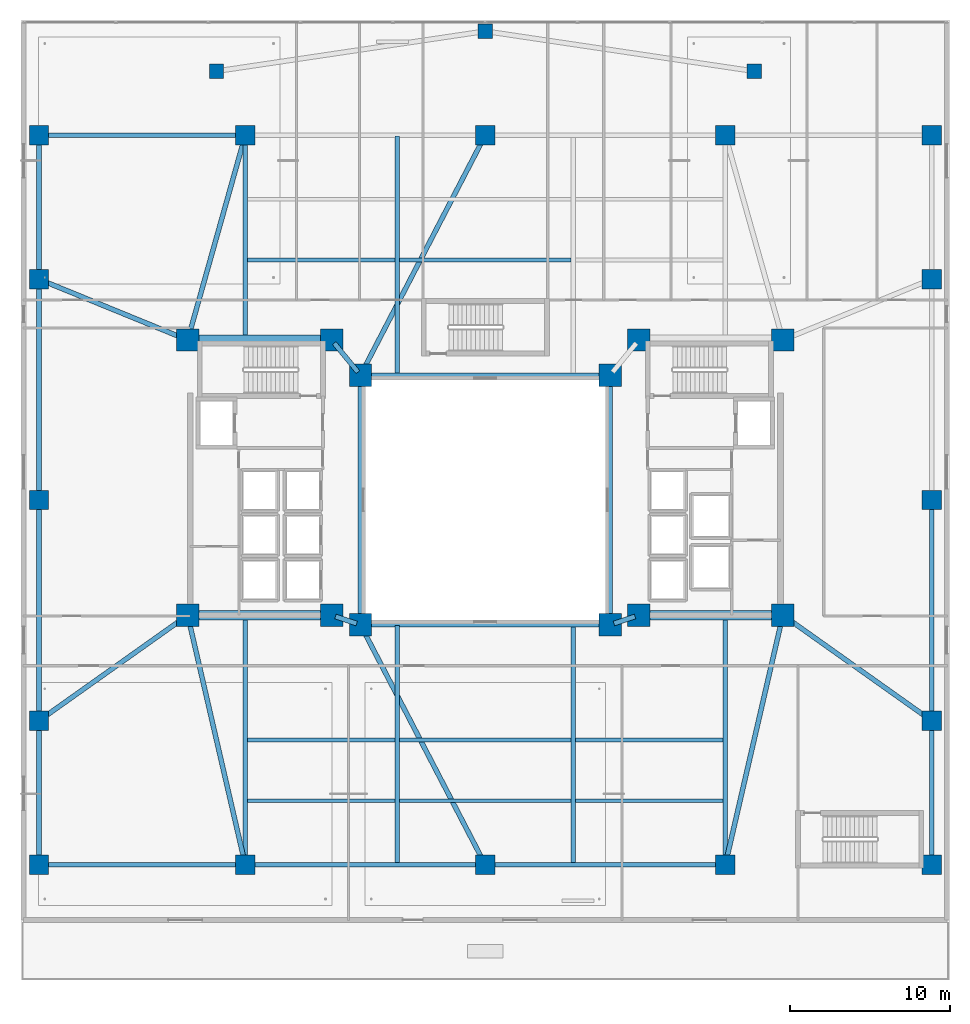
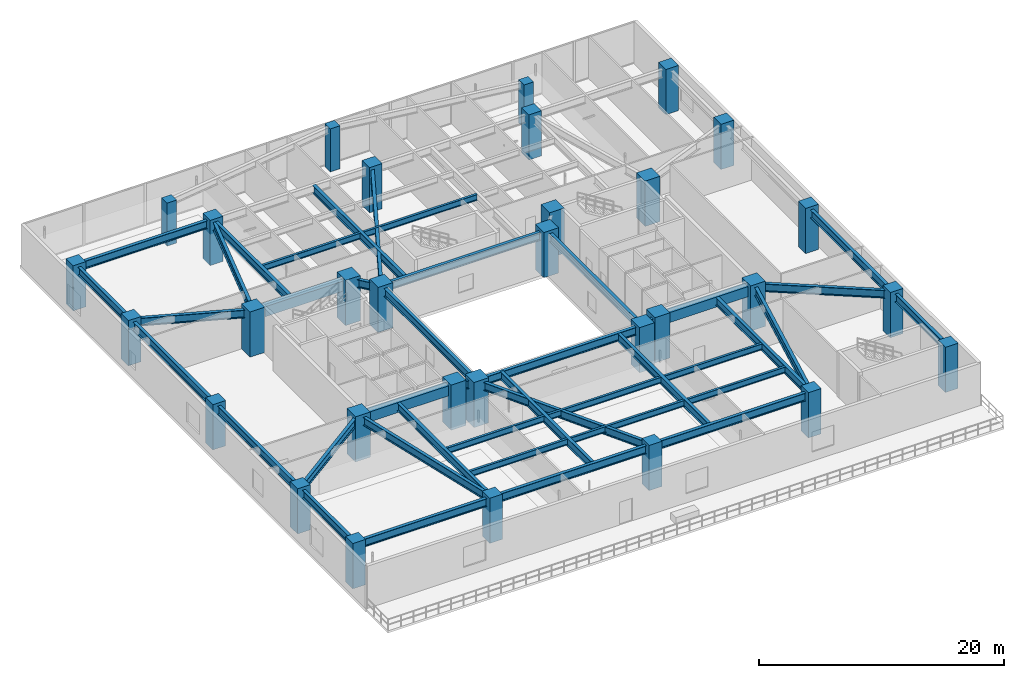
# One storey, part 1 of 22: 42 beams, 31 columns.
"""IFC4 building model written with IfcOpenShell, lengths in metres."""

from ifc_helpers import new_model, si_unit, direction, frame, origin, origin_2d, place, context, subcontext, project, spatial, rectangle, i_section, extrude, material, material_profile, profile_set, type_object, element, save


model = new_model("IFC4")

# Units and contexts
model_context = context("Model", 3, precision=1e-05, world=origin(), true_north=direction((0.0, 1.0)))
body_context = subcontext(model_context, "Body", "Model", "MODEL_VIEW")
ifc_project = project(units=[si_unit("LENGTHUNIT", "METRE"), si_unit("AREAUNIT", "SQUARE_METRE"), si_unit("VOLUMEUNIT", "CUBIC_METRE"), si_unit("PLANEANGLEUNIT", "RADIAN"), si_unit("MASSUNIT", "GRAM", prefix="KILO")], contexts=[model_context])

# Site, building, storey
site_placement = place(None, origin())
site = spatial("IfcSite", under=ifc_project, at=site_placement, CompositionType="ELEMENT")
building_placement = place(site_placement, origin())
building = spatial("IfcBuilding", under=site, at=building_placement, Name="Tarnavaz Court Tower", CompositionType="ELEMENT")
storey_placement = place(building_placement, frame((0.0, 0.0, 14.39990234375)))
storey = spatial("IfcBuildingStorey", under=building, at=storey_placement, Name="L03", CompositionType="ELEMENT", Elevation=14.39990234375)

# Columns
ifc_material_1 = material(Name="Concrete C60/75", Category="concrete")
ifc_material_profile_1 = material_profile(ifc_material_1, rectangle(XDim=1.199951171875, YDim=1.199951171875, at=origin_2d()), Name="RC 1200X1200")
ifc_profile_set_1 = profile_set([ifc_material_profile_1], Name="Concrete C60/75")
column_type_1 = type_object("IfcColumnType", Name="CL-RC1200", PredefinedType="COLUMN", material=ifc_profile_set_1)
for number, where, z_axis, x_axis, name in (
    (1, (-27.89990234375, 22.800048828125, 0.0), (0.0, 0.0, 1.0), (1.0, 0.0, 0.0), "L03 Column PM-NW"),
    (2, (-15.0, 22.800048828125, 0.0), (0.0, 0.0, 1.0), (1.0, 0.0, 0.0), "L03 Column PM-N1"),
    (3, (0.0, 22.800048828125, 0.0), (0.0, 0.0, 1.0), (1.0, 0.0, 0.0), "L03 Column PM-N2"),
    (4, (15.0, 22.800048828125, 0.0), (0.0, 0.0, 1.0), (1.0, 0.0, 0.0), "L03 Column PM-N3"),
    (5, (27.89990234375, 22.800048828125, 0.0), (0.0, 0.0, 1.0), (1.0, 0.0, 0.0), "L03 Column PM-NE"),
    (6, (-27.89990234375, -22.800048828125, 0.0), (0.0, 0.0, 1.0), (1.0, 0.0, 0.0), "L03 Column PM-SW"),
    (7, (-15.0, -22.800048828125, 0.0), (0.0, 0.0, 1.0), (1.0, 0.0, 0.0), "L03 Column PM-S1"),
    (8, (0.0, -22.800048828125, 0.0), (0.0, 0.0, 1.0), (1.0, 0.0, 0.0), "L03 Column PM-S2"),
    (9, (15.0, -22.800048828125, 0.0), (0.0, 0.0, 1.0), (1.0, 0.0, 0.0), "L03 Column PM-S3"),
    (10, (27.89990234375, -22.800048828125, 0.0), (0.0, 0.0, 1.0), (1.0, 0.0, 0.0), "L03 Column PM-SE"),
    (11, (-27.89990234375, -13.800048828125, 0.0), (0.0, 0.0, 1.0), (1.0, 0.0, 0.0), "L03 Column PM-W1"),
    (12, (-27.89990234375, 0.0, 0.0), (0.0, 0.0, 1.0), (1.0, 0.0, 0.0), "L03 Column PM-W2"),
    (13, (-27.89990234375, 13.800048828125, 0.0), (0.0, 0.0, 1.0), (1.0, 0.0, 0.0), "L03 Column PM-W3"),
    (14, (27.89990234375, -13.800048828125, 0.0), (0.0, 0.0, 1.0), (1.0, 0.0, 0.0), "L03 Column PM-E1"),
    (15, (27.89990234375, 0.0, 0.0), (0.0, 0.0, 1.0), (1.0, 0.0, 0.0), "L03 Column PM-E2"),
    (16, (27.89990234375, 13.800048828125, 0.0), (0.0, 0.0, 1.0), (1.0, 0.0, 0.0), "L03 Column PM-E3"),
):
    element("IfcColumn", number, at=place(storey_placement, frame(where, z_axis=z_axis, x_axis=x_axis)), inside=storey, type_object=column_type_1, Name=name, PredefinedType="COLUMN", context=body_context, shape_type="SweptSolid", body=[
        extrude(rectangle(XDim=1.199951171875, YDim=1.199951171875, at=origin_2d()), origin(), (0.0, 0.0, 1.0), 4.5),
    ])
ifc_material_profile_2 = material_profile(ifc_material_1, rectangle(XDim=1.39990234375, YDim=1.39990234375, at=origin_2d()), Name="RC 1400X1400")
ifc_profile_set_2 = profile_set([ifc_material_profile_2], Name="Concrete C60/75")
column_type_2 = type_object("IfcColumnType", Name="CL-RC1400", PredefinedType="COLUMN", material=ifc_profile_set_2)
for number, where, z_axis, x_axis, name in (
    (17, (-7.800048828125, -7.800048828125, 0.0), (0.0, 0.0, 1.0), (1.0, 0.0, 0.0), "L03 Column IW-SW"),
    (18, (7.800048828125, -7.800048828125, 0.0), (0.0, 0.0, 1.0), (1.0, 0.0, 0.0), "L03 Column IW-SE"),
    (19, (-7.800048828125, 7.800048828125, 0.0), (0.0, 0.0, 1.0), (1.0, 0.0, 0.0), "L03 Column IW-NW"),
    (20, (7.800048828125, 7.800048828125, 0.0), (0.0, 0.0, 1.0), (1.0, 0.0, 0.0), "L03 Column IW-NE"),
    (21, (-9.60009765625, -7.199951171875, 0.0), (0.0, 0.0, 1.0), (1.0, 0.0, 0.0), "L03 Column CW-SI"),
    (22, (-9.60009765625, 10.0, 0.0), (0.0, 0.0, 1.0), (1.0, 0.0, 0.0), "L03 Column CW-NI"),
    (23, (9.60009765625, -7.199951171875, 0.0), (0.0, 0.0, 1.0), (1.0, 0.0, 0.0), "L03 Column CE-SI"),
    (24, (9.60009765625, 10.0, 0.0), (0.0, 0.0, 1.0), (1.0, 0.0, 0.0), "L03 Column CE-NI"),
    (25, (-18.60009765625, -7.199951171875, 0.0), (0.0, 0.0, 1.0), (1.0, 0.0, 0.0), "L03 Column CW-SO"),
    (26, (-18.60009765625, 10.0, 0.0), (0.0, 0.0, 1.0), (1.0, 0.0, 0.0), "L03 Column CW-NO"),
    (27, (18.60009765625, -7.199951171875, 0.0), (0.0, 0.0, 1.0), (1.0, 0.0, 0.0), "L03 Column CE-SO"),
    (28, (18.60009765625, 10.0, 0.0), (0.0, 0.0, 1.0), (1.0, 0.0, 0.0), "L03 Column CE-NO"),
):
    element("IfcColumn", number, at=place(storey_placement, frame(where, z_axis=z_axis, x_axis=x_axis)), inside=storey, type_object=column_type_2, Name=name, PredefinedType="COLUMN", context=body_context, shape_type="SweptSolid", body=[
        extrude(rectangle(XDim=1.39990234375, YDim=1.39990234375, at=origin_2d()), origin(), (0.0, 0.0, 1.0), 4.5),
    ])
ifc_material_2 = material(Name="Concrete C50/60", Category="concrete")
ifc_material_profile_3 = material_profile(ifc_material_2, rectangle(XDim=0.89990234375, YDim=0.89990234375, at=origin_2d()), Name="RC 900X900")
ifc_profile_set_3 = profile_set([ifc_material_profile_3], Name="Concrete C50/60")
column_type_3 = type_object("IfcColumnType", Name="CL-RC900", PredefinedType="COLUMN", material=ifc_profile_set_3)
for number, where, z_axis, x_axis, name in (
    (29, (-16.800048828125, 26.800048828125, 0.0), (0.0, 0.0, 1.0), (1.0, 0.0, 0.0), "L03 Column POD-N1"),
    (30, (0.0, 29.300048828125, 0.0), (0.0, 0.0, 1.0), (1.0, 0.0, 0.0), "L03 Column POD-N2"),
    (31, (16.800048828125, 26.800048828125, 0.0), (0.0, 0.0, 1.0), (1.0, 0.0, 0.0), "L03 Column POD-N3"),
):
    element("IfcColumn", number, at=place(storey_placement, frame(where, z_axis=z_axis, x_axis=x_axis)), inside=storey, type_object=column_type_3, Name=name, PredefinedType="COLUMN", context=body_context, shape_type="SweptSolid", body=[
        extrude(rectangle(XDim=0.89990234375, YDim=0.89990234375, at=origin_2d()), origin(), (0.0, 0.0, 1.0), 4.280029296875),
    ])

# Beams
ifc_material_profile_4 = material_profile(ifc_material_1, rectangle(XDim=0.60009765625, YDim=1.0, at=origin_2d()), Name="RC 600X1000")
ifc_profile_set_4 = profile_set([ifc_material_profile_4], Name="Concrete C60/75")
beam_type_1 = type_object("IfcBeamType", Name="BM-CB1000", PredefinedType="LINTEL", material=ifc_profile_set_4)
for number, where, z_axis, x_axis, name in (
    (32, (-18.35009765625, -7.199951171875, 3.7001953125), (1.0, 0.0, 0.0), (0.0, 1.0, 0.0), "L03 Beam CW-SO-CW-SI"),
    (33, (-18.35009765625, 10.0, 3.7001953125), (1.0, 0.0, 0.0), (0.0, 1.0, 0.0), "L03 Beam CW-NO-CW-NI"),
    (34, (18.35009765625, -7.199951171875, 3.7001953125), (-1.0, 0.0, 0.0), (0.0, -1.0, 0.0), "L03 Beam CE-SO-CE-SI"),
):
    element("IfcBeam", number, at=place(storey_placement, frame(where, z_axis=z_axis, x_axis=x_axis)), inside=storey, type_object=beam_type_1, Name=name, PredefinedType="LINTEL", context=body_context, shape_type="SweptSolid", body=[
        extrude(rectangle(XDim=0.60009765625, YDim=1.0, at=origin_2d()), origin(), (0.0, 0.0, 1.0), 8.5),
    ])
ifc_material_3 = material(Name="Steel S355", Category="steel")
ifc_material_profile_5 = material_profile(ifc_material_3, i_section(OverallWidth=0.300048828125, OverallDepth=0.800048828125, WebThickness=0.017578125, FlangeThickness=0.032958984375, FilletRadius=0.030029296875, at=origin_2d()), Name="HEB 800")
ifc_profile_set_5 = profile_set([ifc_material_profile_5], Name="Steel S355")
beam_type_2 = type_object("IfcBeamType", Name="BM-G-HEB800", PredefinedType="USERDEFINED", material=ifc_profile_set_5)
for number, where, z_axis, x_axis, name in (
    (35, (-7.550048828125, -7.800048828125, 3.800048828125), (1.0, 0.0, 0.0), (0.0, 1.0, 0.0), "L03 Beam IW-SW-IW-SE"),
    (36, (-7.550048828125, 7.800048828125, 3.800048828125), (1.0, 0.0, 0.0), (0.0, 1.0, 0.0), "L03 Beam IW-NW-IW-NE"),
    (37, (-7.800048828125, -7.550048828125, 3.800048828125), (0.0, 1.0, 0.0), (-1.0, 0.0, 0.0), "L03 Beam IW-SW-IW-NW"),
    (38, (7.800048828125, -7.550048828125, 3.800048828125), (0.0, 1.0, 0.0), (-1.0, 0.0, 0.0), "L03 Beam IW-SE-IW-NE"),
):
    element("IfcBeam", number, at=place(storey_placement, frame(where, z_axis=z_axis, x_axis=x_axis)), inside=storey, type_object=beam_type_2, Name=name, ObjectType="GIRDER", PredefinedType="USERDEFINED", context=body_context, shape_type="SweptSolid", body=[
        extrude(i_section(OverallWidth=0.300048828125, OverallDepth=0.800048828125, WebThickness=0.017578125, FlangeThickness=0.032958984375, FilletRadius=0.030029296875, at=origin_2d()), origin(), (0.0, 0.0, 1.0), 15.10009765625),
    ])
for number, where, z_axis, x_axis, name in (
    (39, (-9.36279296875, -7.279052734375, 3.800048828125), (0.948683298051, -0.316227766017, 0.0), (0.316227766017, 0.948683298051, 0.0), "L03 Beam CW-SI-IW-SW"),
    (40, (9.36279296875, -7.279052734375, 3.800048828125), (-0.948683298051, -0.316227766017, 0.0), (0.316227766017, -0.948683298051, 0.0), "L03 Beam CE-SI-IW-SE"),
):
    element("IfcBeam", number, at=place(storey_placement, frame(where, z_axis=z_axis, x_axis=x_axis)), inside=storey, type_object=beam_type_2, Name=name, ObjectType="GIRDER", PredefinedType="USERDEFINED", context=body_context, shape_type="SweptSolid", body=[
        extrude(i_section(OverallWidth=0.300048828125, OverallDepth=0.800048828125, WebThickness=0.017578125, FlangeThickness=0.032958984375, FilletRadius=0.030029296875, at=origin_2d()), origin(), (0.0, 0.0, 1.0), 1.3974609375),
    ])
beam_1_placement = place(storey_placement, frame((-9.441650390625, 9.806396484375, 3.800048828125), z_axis=(0.633249141033, -0.773948012066, 0.0), x_axis=(0.773948012066, 0.633249141033, 0.0)))
element("IfcBeam", 41, at=beam_1_placement, inside=storey, type_object=beam_type_2, Name="L03 Beam CW-NI-IW-NW", ObjectType="GIRDER", PredefinedType="USERDEFINED", context=body_context, shape_type="SweptSolid", body=[
    extrude(i_section(OverallWidth=0.300048828125, OverallDepth=0.800048828125, WebThickness=0.017578125, FlangeThickness=0.032958984375, FilletRadius=0.030029296875, at=origin_2d()), origin(), (0.0, 0.0, 1.0), 2.342529296875),
])
for number, where, z_axis, x_axis, name in (
    (42, (-27.64990234375, 22.800048828125, 3.800048828125), (1.0, 0.0, 0.0), (0.0, 1.0, 0.0), "L03 Beam PM-PM-NW-PM-N1"),
    (43, (-27.64990234375, -22.800048828125, 3.800048828125), (1.0, 0.0, 0.0), (0.0, 1.0, 0.0), "L03 Beam PM-PM-SW-PM-S1"),
):
    element("IfcBeam", number, at=place(storey_placement, frame(where, z_axis=z_axis, x_axis=x_axis)), inside=storey, type_object=beam_type_2, Name=name, ObjectType="GIRDER", PredefinedType="USERDEFINED", context=body_context, shape_type="SweptSolid", body=[
        extrude(i_section(OverallWidth=0.300048828125, OverallDepth=0.800048828125, WebThickness=0.017578125, FlangeThickness=0.032958984375, FilletRadius=0.030029296875, at=origin_2d()), origin(), (0.0, 0.0, 1.0), 12.39990234375),
    ])
for number, where, z_axis, x_axis, name in (
    (44, (-14.75, -22.800048828125, 3.800048828125), (1.0, 0.0, 0.0), (0.0, 1.0, 0.0), "L03 Beam PM-PM-S1-PM-S2"),
    (45, (0.25, -22.800048828125, 3.800048828125), (1.0, 0.0, 0.0), (0.0, 1.0, 0.0), "L03 Beam PM-PM-S2-PM-S3"),
):
    element("IfcBeam", number, at=place(storey_placement, frame(where, z_axis=z_axis, x_axis=x_axis)), inside=storey, type_object=beam_type_2, Name=name, ObjectType="GIRDER", PredefinedType="USERDEFINED", context=body_context, shape_type="SweptSolid", body=[
        extrude(i_section(OverallWidth=0.300048828125, OverallDepth=0.800048828125, WebThickness=0.017578125, FlangeThickness=0.032958984375, FilletRadius=0.030029296875, at=origin_2d()), origin(), (0.0, 0.0, 1.0), 14.5),
    ])
beam_2_placement = place(storey_placement, frame((-27.89990234375, -22.550048828125, 3.800048828125), z_axis=(0.0, 1.0, 0.0), x_axis=(-1.0, 0.0, 0.0)))
element("IfcBeam", 46, at=beam_2_placement, inside=storey, type_object=beam_type_2, Name="L03 Beam PM-PM-SW-PM-W1", ObjectType="GIRDER", PredefinedType="USERDEFINED", context=body_context, shape_type="SweptSolid", body=[
    extrude(i_section(OverallWidth=0.300048828125, OverallDepth=0.800048828125, WebThickness=0.017578125, FlangeThickness=0.032958984375, FilletRadius=0.030029296875, at=origin_2d()), origin(), (0.0, 0.0, 1.0), 8.5),
])
for number, where, z_axis, x_axis, name in (
    (47, (-27.89990234375, -13.550048828125, 3.800048828125), (0.0, 1.0, 0.0), (-1.0, 0.0, 0.0), "L03 Beam PM-PM-W1-PM-W2"),
    (48, (-27.89990234375, 0.25, 3.800048828125), (0.0, 1.0, 0.0), (-1.0, 0.0, 0.0), "L03 Beam PM-PM-W2-PM-W3"),
):
    element("IfcBeam", number, at=place(storey_placement, frame(where, z_axis=z_axis, x_axis=x_axis)), inside=storey, type_object=beam_type_2, Name=name, ObjectType="GIRDER", PredefinedType="USERDEFINED", context=body_context, shape_type="SweptSolid", body=[
        extrude(i_section(OverallWidth=0.300048828125, OverallDepth=0.800048828125, WebThickness=0.017578125, FlangeThickness=0.032958984375, FilletRadius=0.030029296875, at=origin_2d()), origin(), (0.0, 0.0, 1.0), 13.300048828125),
    ])
for number, where, z_axis, x_axis, name in (
    (49, (-27.89990234375, 14.050048828125, 3.800048828125), (0.0, 1.0, 0.0), (-1.0, 0.0, 0.0), "L03 Beam PM-PM-W3-PM-NW"),
    (50, (27.89990234375, -22.550048828125, 3.800048828125), (0.0, 1.0, 0.0), (-1.0, 0.0, 0.0), "L03 Beam PM-PM-SE-PM-E1"),
):
    element("IfcBeam", number, at=place(storey_placement, frame(where, z_axis=z_axis, x_axis=x_axis)), inside=storey, type_object=beam_type_2, Name=name, ObjectType="GIRDER", PredefinedType="USERDEFINED", context=body_context, shape_type="SweptSolid", body=[
        extrude(i_section(OverallWidth=0.300048828125, OverallDepth=0.800048828125, WebThickness=0.017578125, FlangeThickness=0.032958984375, FilletRadius=0.030029296875, at=origin_2d()), origin(), (0.0, 0.0, 1.0), 8.5),
    ])
beam_3_placement = place(storey_placement, frame((27.89990234375, -13.550048828125, 3.800048828125), z_axis=(0.0, 1.0, 0.0), x_axis=(-1.0, 0.0, 0.0)))
element("IfcBeam", 51, at=beam_3_placement, inside=storey, type_object=beam_type_2, Name="L03 Beam PM-PM-E1-PM-E2", ObjectType="GIRDER", PredefinedType="USERDEFINED", context=body_context, shape_type="SweptSolid", body=[
    extrude(i_section(OverallWidth=0.300048828125, OverallDepth=0.800048828125, WebThickness=0.017578125, FlangeThickness=0.032958984375, FilletRadius=0.030029296875, at=origin_2d()), origin(), (0.0, 0.0, 1.0), 13.300048828125),
])
beam_4_placement = place(storey_placement, frame((-18.5322265625, 10.24072265625, 3.800048828125), z_axis=(0.270745024415, 0.962651095545, 0.0), x_axis=(-0.962651095545, 0.270745024415, 0.0)))
element("IfcBeam", 52, at=beam_4_placement, inside=storey, type_object=beam_type_2, Name="L03 Beam PM-CW-NO-PM-N1", ObjectType="GIRDER", PredefinedType="USERDEFINED", context=body_context, shape_type="SweptSolid", body=[
    extrude(i_section(OverallWidth=0.300048828125, OverallDepth=0.800048828125, WebThickness=0.017578125, FlangeThickness=0.032958984375, FilletRadius=0.030029296875, at=origin_2d()), origin(), (0.0, 0.0, 1.0), 12.796630859375),
])
beam_5_placement = place(storey_placement, frame((-7.684814453125, 8.021728515625, 3.800048828125), z_axis=(0.461364918236, 0.887210466699, 0.0), x_axis=(-0.887210466699, 0.461364918236, 0.0)))
element("IfcBeam", 53, at=beam_5_placement, inside=storey, type_object=beam_type_2, Name="L03 Beam PM-IW-NW-PM-N2", ObjectType="GIRDER", PredefinedType="USERDEFINED", context=body_context, shape_type="SweptSolid", body=[
    extrude(i_section(OverallWidth=0.300048828125, OverallDepth=0.800048828125, WebThickness=0.017578125, FlangeThickness=0.032958984375, FilletRadius=0.030029296875, at=origin_2d()), origin(), (0.0, 0.0, 1.0), 16.406982421875),
])
beam_6_placement = place(storey_placement, frame((-18.543701171875, -7.443603515625, 3.800048828125), z_axis=(0.224858357084, -0.97439146099, 0.0), x_axis=(0.97439146099, 0.224858357084, 0.0)))
element("IfcBeam", 54, at=beam_6_placement, inside=storey, type_object=beam_type_2, Name="L03 Beam PM-CW-SO-PM-S1", ObjectType="GIRDER", PredefinedType="USERDEFINED", context=body_context, shape_type="SweptSolid", body=[
    extrude(i_section(OverallWidth=0.300048828125, OverallDepth=0.800048828125, WebThickness=0.017578125, FlangeThickness=0.032958984375, FilletRadius=0.030029296875, at=origin_2d()), origin(), (0.0, 0.0, 1.0), 15.510009765625),
])
beam_7_placement = place(storey_placement, frame((-7.684814453125, -8.021728515625, 3.800048828125), z_axis=(0.461364918236, -0.887210466699, 0.0), x_axis=(0.887210466699, 0.461364918236, 0.0)))
element("IfcBeam", 55, at=beam_7_placement, inside=storey, type_object=beam_type_2, Name="L03 Beam PM-IW-SW-PM-S2", ObjectType="GIRDER", PredefinedType="USERDEFINED", context=body_context, shape_type="SweptSolid", body=[
    extrude(i_section(OverallWidth=0.300048828125, OverallDepth=0.800048828125, WebThickness=0.017578125, FlangeThickness=0.032958984375, FilletRadius=0.030029296875, at=origin_2d()), origin(), (0.0, 0.0, 1.0), 16.406982421875),
])
beam_8_placement = place(storey_placement, frame((18.543701171875, -7.443603515625, 3.800048828125), z_axis=(-0.224858357084, -0.97439146099, 0.0), x_axis=(0.97439146099, -0.224858357084, 0.0)))
element("IfcBeam", 56, at=beam_8_placement, inside=storey, type_object=beam_type_2, Name="L03 Beam PM-CE-SO-PM-S3", ObjectType="GIRDER", PredefinedType="USERDEFINED", context=body_context, shape_type="SweptSolid", body=[
    extrude(i_section(OverallWidth=0.300048828125, OverallDepth=0.800048828125, WebThickness=0.017578125, FlangeThickness=0.032958984375, FilletRadius=0.030029296875, at=origin_2d()), origin(), (0.0, 0.0, 1.0), 15.510009765625),
])
beam_9_placement = place(storey_placement, frame((-18.803955078125, -7.3447265625, 3.800048828125), z_axis=(-0.815505781161, -0.578748927336, 0.0), x_axis=(0.578748927336, -0.815505781161, 0.0)))
element("IfcBeam", 57, at=beam_9_placement, inside=storey, type_object=beam_type_2, Name="L03 Beam PM-CW-SO-PM-W1", ObjectType="GIRDER", PredefinedType="USERDEFINED", context=body_context, shape_type="SweptSolid", body=[
    extrude(i_section(OverallWidth=0.300048828125, OverallDepth=0.800048828125, WebThickness=0.017578125, FlangeThickness=0.032958984375, FilletRadius=0.030029296875, at=origin_2d()), origin(), (0.0, 0.0, 1.0), 10.90380859375),
])
beam_10_placement = place(storey_placement, frame((-18.831298828125, 10.094482421875, 3.800048828125), z_axis=(-0.925710630755, 0.378232505356, 0.0), x_axis=(-0.378232505356, -0.925710630755, 0.0)))
element("IfcBeam", 58, at=beam_10_placement, inside=storey, type_object=beam_type_2, Name="L03 Beam PM-CW-NO-PM-W3", ObjectType="GIRDER", PredefinedType="USERDEFINED", context=body_context, shape_type="SweptSolid", body=[
    extrude(i_section(OverallWidth=0.300048828125, OverallDepth=0.800048828125, WebThickness=0.017578125, FlangeThickness=0.032958984375, FilletRadius=0.030029296875, at=origin_2d()), origin(), (0.0, 0.0, 1.0), 9.546630859375),
])
beam_11_placement = place(storey_placement, frame((18.803955078125, -7.3447265625, 3.800048828125), z_axis=(0.815505781161, -0.578748927336, 0.0), x_axis=(0.578748927336, 0.815505781161, 0.0)))
element("IfcBeam", 59, at=beam_11_placement, inside=storey, type_object=beam_type_2, Name="L03 Beam PM-CE-SO-PM-E1", ObjectType="GIRDER", PredefinedType="USERDEFINED", context=body_context, shape_type="SweptSolid", body=[
    extrude(i_section(OverallWidth=0.300048828125, OverallDepth=0.800048828125, WebThickness=0.017578125, FlangeThickness=0.032958984375, FilletRadius=0.030029296875, at=origin_2d()), origin(), (0.0, 0.0, 1.0), 10.90380859375),
])
beam_12_placement = place(storey_placement, frame((-15.0, 10.0400390625, 3.800048828125), z_axis=(0.0, 1.0, 0.0), x_axis=(-1.0, 0.0, 0.0)))
element("IfcBeam", 60, at=beam_12_placement, inside=storey, type_object=beam_type_2, Name="L03 Beam PM-NS-NW", ObjectType="GIRDER", PredefinedType="USERDEFINED", context=body_context, shape_type="SweptSolid", body=[
    extrude(i_section(OverallWidth=0.300048828125, OverallDepth=0.800048828125, WebThickness=0.017578125, FlangeThickness=0.032958984375, FilletRadius=0.030029296875, at=origin_2d()), origin(), (0.0, 0.0, 1.0), 12.719970703125),
])
beam_13_placement = place(storey_placement, frame((-15.0, -7.239990234375, 3.800048828125), z_axis=(0.0, -1.0, 0.0), x_axis=(1.0, 0.0, 0.0)))
element("IfcBeam", 61, at=beam_13_placement, inside=storey, type_object=beam_type_2, Name="L03 Beam PM-NS-SW", ObjectType="GIRDER", PredefinedType="USERDEFINED", context=body_context, shape_type="SweptSolid", body=[
    extrude(i_section(OverallWidth=0.300048828125, OverallDepth=0.800048828125, WebThickness=0.017578125, FlangeThickness=0.032958984375, FilletRadius=0.030029296875, at=origin_2d()), origin(), (0.0, 0.0, 1.0), 15.52001953125),
])
for number, where, z_axis, x_axis, name in (
    (62, (-5.5, 7.840087890625, 3.800048828125), (0.0, 1.0, 0.0), (-1.0, 0.0, 0.0), "L03 Beam PM-NS-NCW"),
    (63, (-5.5, -7.840087890625, 3.800048828125), (0.0, -1.0, 0.0), (1.0, 0.0, 0.0), "L03 Beam PM-NS-SCW"),
    (64, (5.5, -7.840087890625, 3.800048828125), (0.0, -1.0, 0.0), (1.0, 0.0, 0.0), "L03 Beam PM-NS-SCE"),
):
    element("IfcBeam", number, at=place(storey_placement, frame(where, z_axis=z_axis, x_axis=x_axis)), inside=storey, type_object=beam_type_2, Name=name, ObjectType="GIRDER", PredefinedType="USERDEFINED", context=body_context, shape_type="SweptSolid", body=[
        extrude(i_section(OverallWidth=0.300048828125, OverallDepth=0.800048828125, WebThickness=0.017578125, FlangeThickness=0.032958984375, FilletRadius=0.030029296875, at=origin_2d()), origin(), (0.0, 0.0, 1.0), 14.919921875),
    ])
beam_14_placement = place(storey_placement, frame((15.0, -7.239990234375, 3.800048828125), z_axis=(0.0, -1.0, 0.0), x_axis=(1.0, 0.0, 0.0)))
element("IfcBeam", 65, at=beam_14_placement, inside=storey, type_object=beam_type_2, Name="L03 Beam PM-NS-SE", ObjectType="GIRDER", PredefinedType="USERDEFINED", context=body_context, shape_type="SweptSolid", body=[
    extrude(i_section(OverallWidth=0.300048828125, OverallDepth=0.800048828125, WebThickness=0.017578125, FlangeThickness=0.032958984375, FilletRadius=0.030029296875, at=origin_2d()), origin(), (0.0, 0.0, 1.0), 15.52001953125),
])
ifc_material_profile_6 = material_profile(ifc_material_3, i_section(OverallWidth=0.219970703125, OverallDepth=0.60009765625, WebThickness=0.011962890625, FlangeThickness=0.01904296875, FilletRadius=0.02392578125, at=origin_2d()), Name="IPE 600")
ifc_profile_set_6 = profile_set([ifc_material_profile_6], Name="Steel S355")
beam_type_3 = type_object("IfcBeamType", Name="BM-J-IPE600", PredefinedType="JOIST", material=ifc_profile_set_6)
beam_15_placement = place(storey_placement, frame((-14.85009765625, 15.0, 3.900146484375), z_axis=(1.0, 0.0, 0.0), x_axis=(0.0, 1.0, 0.0)))
element("IfcBeam", 66, at=beam_15_placement, inside=storey, type_object=beam_type_3, Name="L03 Beam PJN-1-1", PredefinedType="JOIST", context=body_context, shape_type="SweptSolid", body=[
    extrude(i_section(OverallWidth=0.219970703125, OverallDepth=0.60009765625, WebThickness=0.011962890625, FlangeThickness=0.01904296875, FilletRadius=0.02392578125, at=origin_2d()), origin(), (0.0, 0.0, 1.0), 9.2001953125),
])
beam_16_placement = place(storey_placement, frame((-5.35009765625, 15.0, 3.900146484375), z_axis=(1.0, 0.0, 0.0), x_axis=(0.0, 1.0, 0.0)))
element("IfcBeam", 67, at=beam_16_placement, inside=storey, type_object=beam_type_3, Name="L03 Beam PJN-1-2", PredefinedType="JOIST", context=body_context, shape_type="SweptSolid", body=[
    extrude(i_section(OverallWidth=0.219970703125, OverallDepth=0.60009765625, WebThickness=0.011962890625, FlangeThickness=0.01904296875, FilletRadius=0.02392578125, at=origin_2d()), origin(), (0.0, 0.0, 1.0), 10.7001953125),
])
beam_17_placement = place(storey_placement, frame((-14.85009765625, -15.0, 3.900146484375), z_axis=(1.0, 0.0, 0.0), x_axis=(0.0, 1.0, 0.0)))
element("IfcBeam", 68, at=beam_17_placement, inside=storey, type_object=beam_type_3, Name="L03 Beam PJS-1-1", PredefinedType="JOIST", context=body_context, shape_type="SweptSolid", body=[
    extrude(i_section(OverallWidth=0.219970703125, OverallDepth=0.60009765625, WebThickness=0.011962890625, FlangeThickness=0.01904296875, FilletRadius=0.02392578125, at=origin_2d()), origin(), (0.0, 0.0, 1.0), 9.2001953125),
])
beam_18_placement = place(storey_placement, frame((-5.35009765625, -15.0, 3.900146484375), z_axis=(1.0, 0.0, 0.0), x_axis=(0.0, 1.0, 0.0)))
element("IfcBeam", 69, at=beam_18_placement, inside=storey, type_object=beam_type_3, Name="L03 Beam PJS-1-2", PredefinedType="JOIST", context=body_context, shape_type="SweptSolid", body=[
    extrude(i_section(OverallWidth=0.219970703125, OverallDepth=0.60009765625, WebThickness=0.011962890625, FlangeThickness=0.01904296875, FilletRadius=0.02392578125, at=origin_2d()), origin(), (0.0, 0.0, 1.0), 10.7001953125),
])
for number, where, z_axis, x_axis, name in (
    (70, (5.64990234375, -15.0, 3.900146484375), (1.0, 0.0, 0.0), (0.0, 1.0, 0.0), "L03 Beam PJS-1-3"),
    (71, (-14.85009765625, -18.800048828125, 3.900146484375), (1.0, 0.0, 0.0), (0.0, 1.0, 0.0), "L03 Beam PJS-2-1"),
):
    element("IfcBeam", number, at=place(storey_placement, frame(where, z_axis=z_axis, x_axis=x_axis)), inside=storey, type_object=beam_type_3, Name=name, PredefinedType="JOIST", context=body_context, shape_type="SweptSolid", body=[
        extrude(i_section(OverallWidth=0.219970703125, OverallDepth=0.60009765625, WebThickness=0.011962890625, FlangeThickness=0.01904296875, FilletRadius=0.02392578125, at=origin_2d()), origin(), (0.0, 0.0, 1.0), 9.2001953125),
    ])
beam_19_placement = place(storey_placement, frame((-5.35009765625, -18.800048828125, 3.900146484375), z_axis=(1.0, 0.0, 0.0), x_axis=(0.0, 1.0, 0.0)))
element("IfcBeam", 72, at=beam_19_placement, inside=storey, type_object=beam_type_3, Name="L03 Beam PJS-2-2", PredefinedType="JOIST", context=body_context, shape_type="SweptSolid", body=[
    extrude(i_section(OverallWidth=0.219970703125, OverallDepth=0.60009765625, WebThickness=0.011962890625, FlangeThickness=0.01904296875, FilletRadius=0.02392578125, at=origin_2d()), origin(), (0.0, 0.0, 1.0), 10.7001953125),
])
beam_20_placement = place(storey_placement, frame((5.64990234375, -18.800048828125, 3.900146484375), z_axis=(1.0, 0.0, 0.0), x_axis=(0.0, 1.0, 0.0)))
element("IfcBeam", 73, at=beam_20_placement, inside=storey, type_object=beam_type_3, Name="L03 Beam PJS-2-3", PredefinedType="JOIST", context=body_context, shape_type="SweptSolid", body=[
    extrude(i_section(OverallWidth=0.219970703125, OverallDepth=0.60009765625, WebThickness=0.011962890625, FlangeThickness=0.01904296875, FilletRadius=0.02392578125, at=origin_2d()), origin(), (0.0, 0.0, 1.0), 9.2001953125),
])

save(model, "model.ifc")
